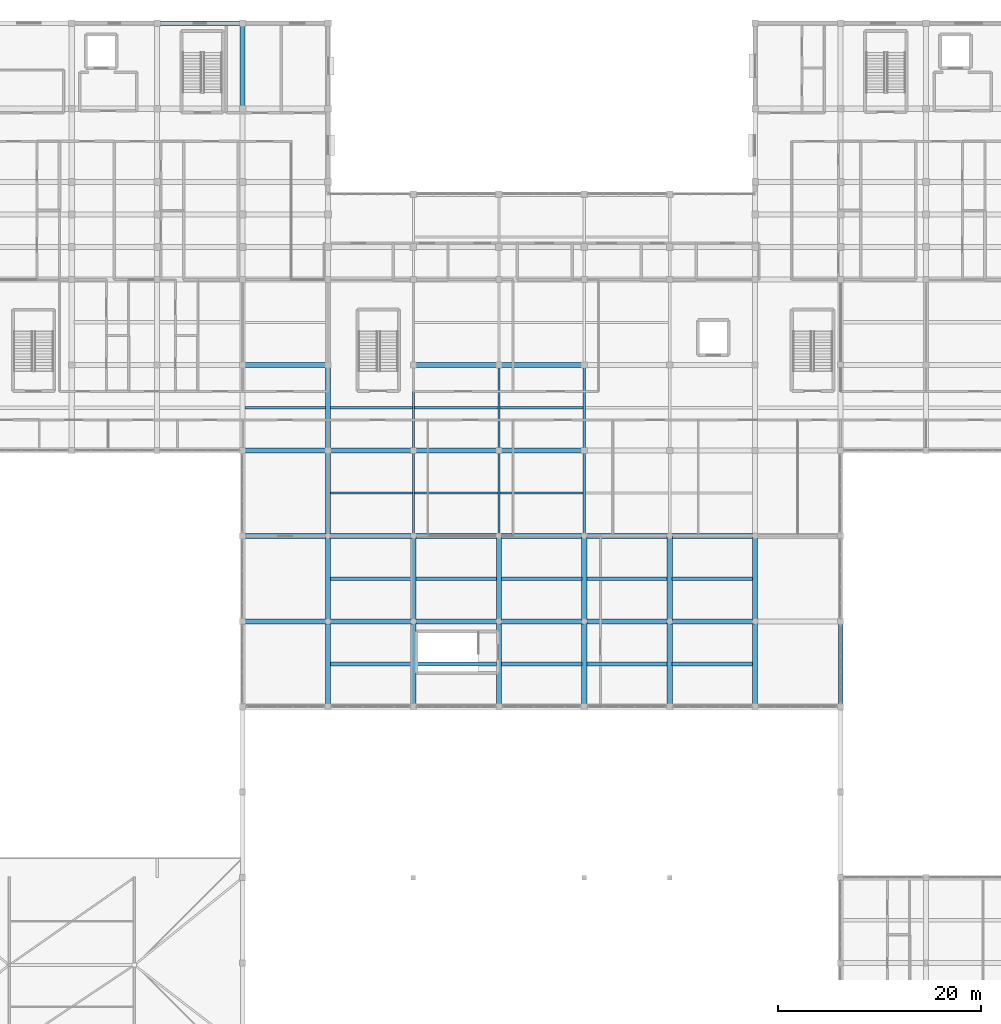
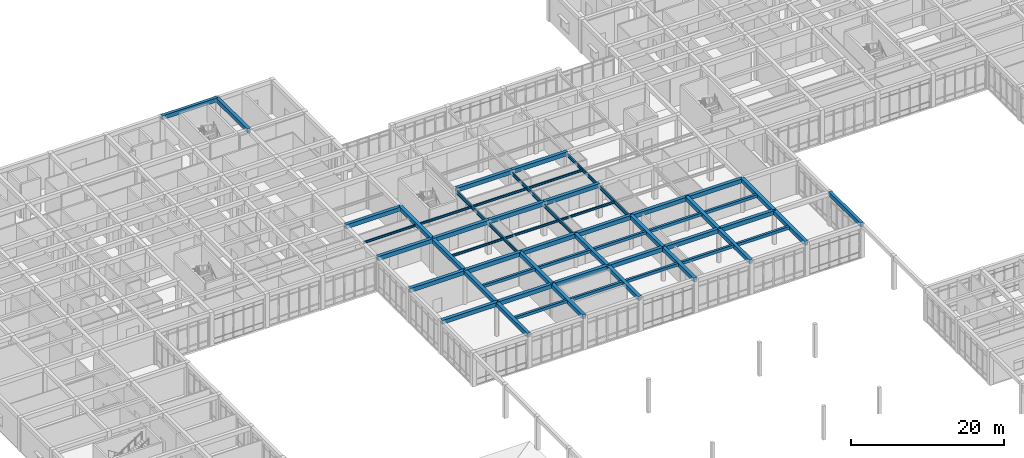
# One storey, part 23 of 89: 59 beams.
"""IFC4 building model written with IfcOpenShell, lengths in metres."""

from ifc_helpers import new_model, si_unit, direction, frame, origin, origin_2d, place, context, subcontext, project, spatial, rectangle, i_section, extrude, material, material_profile, profile_set, type_object, element, save


model = new_model("IFC4")

# Units and contexts
model_context = context("Model", 3, precision=1e-05, world=origin(), true_north=direction((0.0, 1.0)))
body_context = subcontext(model_context, "Body", "Model", "MODEL_VIEW")
ifc_project = project(units=[si_unit("LENGTHUNIT", "METRE"), si_unit("AREAUNIT", "SQUARE_METRE"), si_unit("VOLUMEUNIT", "CUBIC_METRE"), si_unit("PLANEANGLEUNIT", "RADIAN"), si_unit("MASSUNIT", "GRAM", prefix="KILO")], contexts=[model_context])

# Site, building, storey
site_placement = place(None, origin())
site = spatial("IfcSite", under=ifc_project, at=site_placement, CompositionType="ELEMENT")
building_placement = place(site_placement, origin())
building = spatial("IfcBuilding", under=site, at=building_placement, Name="Varncliffe General Hospital", CompositionType="ELEMENT")
storey_placement = place(building_placement, frame((0.0, 0.0, 10.800048828125)))
storey = spatial("IfcBuildingStorey", under=building, at=storey_placement, Name="L02", CompositionType="ELEMENT", Elevation=10.800048828125)

# Beams
ifc_material_1 = material(Name="Concrete C35/45 (CSA A23.1 35 MPa)", Category="concrete")
ifc_material_profile_1 = material_profile(ifc_material_1, rectangle(XDim=0.5, YDim=0.64990234375, at=origin_2d()), Name="RC 500x650")
ifc_profile_set_1 = profile_set([ifc_material_profile_1], Name="Concrete C35/45 (CSA A23.1 35 MPa)")
beam_type_1 = type_object("IfcBeamType", Name="Beam B29 (Int RC 500x650)", PredefinedType="BEAM", material=ifc_profile_set_1)
beam_1_placement = place(storey_placement, frame((58.800048828125, 66.0, 5.074951171875), z_axis=(1.0, 0.0, 0.0), x_axis=(0.0, 1.0, 0.0)))
element("IfcBeam", 1, at=beam_1_placement, inside=storey, type_object=beam_type_1, Name="L02 Primary Beam B29-70", PredefinedType="BEAM", context=body_context, shape_type="SweptSolid", body=[
    extrude(rectangle(XDim=0.5, YDim=0.64990234375, at=origin_2d()), origin(), (0.0, 0.0, 1.0), 8.39990234375),
])
beam_2_placement = place(storey_placement, frame((67.199951171875, 66.0, 5.074951171875), z_axis=(1.0, 0.0, 0.0), x_axis=(0.0, 1.0, 0.0)))
element("IfcBeam", 2, at=beam_2_placement, inside=storey, type_object=beam_type_1, Name="L02 Primary Beam B29-71", PredefinedType="BEAM", context=body_context, shape_type="SweptSolid", body=[
    extrude(rectangle(XDim=0.5, YDim=0.64990234375, at=origin_2d()), origin(), (0.0, 0.0, 1.0), 8.400146484375),
])
for number, where, z_axis, x_axis, name in (
    (3, (75.60009765625, 66.0, 5.074951171875), (1.0, 0.0, 0.0), (0.0, 1.0, 0.0), "L02 Primary Beam B29-72"),
    (4, (84.0, 66.0, 5.074951171875), (1.0, 0.0, 0.0), (0.0, 1.0, 0.0), "L02 Primary Beam B29-73"),
):
    element("IfcBeam", number, at=place(storey_placement, frame(where, z_axis=z_axis, x_axis=x_axis)), inside=storey, type_object=beam_type_1, Name=name, PredefinedType="BEAM", context=body_context, shape_type="SweptSolid", body=[
        extrude(rectangle(XDim=0.5, YDim=0.64990234375, at=origin_2d()), origin(), (0.0, 0.0, 1.0), 8.39990234375),
    ])
beam_3_placement = place(storey_placement, frame((92.39990234375, 66.0, 5.074951171875), z_axis=(1.0, 0.0, 0.0), x_axis=(0.0, 1.0, 0.0)))
element("IfcBeam", 5, at=beam_3_placement, inside=storey, type_object=beam_type_1, Name="L02 Primary Beam B29-74", PredefinedType="BEAM", context=body_context, shape_type="SweptSolid", body=[
    extrude(rectangle(XDim=0.5, YDim=0.64990234375, at=origin_2d()), origin(), (0.0, 0.0, 1.0), 8.400146484375),
])
for number, where, z_axis, x_axis, name in (
    (6, (100.800048828125, 66.0, 5.074951171875), (1.0, 0.0, 0.0), (0.0, 1.0, 0.0), "L02 Primary Beam B29-75"),
    (7, (58.800048828125, 74.39990234375, 5.074951171875), (1.0, 0.0, 0.0), (0.0, 1.0, 0.0), "L02 Primary Beam B29-83"),
):
    element("IfcBeam", number, at=place(storey_placement, frame(where, z_axis=z_axis, x_axis=x_axis)), inside=storey, type_object=beam_type_1, Name=name, PredefinedType="BEAM", context=body_context, shape_type="SweptSolid", body=[
        extrude(rectangle(XDim=0.5, YDim=0.64990234375, at=origin_2d()), origin(), (0.0, 0.0, 1.0), 8.39990234375),
    ])
beam_4_placement = place(storey_placement, frame((67.199951171875, 74.39990234375, 5.074951171875), z_axis=(1.0, 0.0, 0.0), x_axis=(0.0, 1.0, 0.0)))
element("IfcBeam", 8, at=beam_4_placement, inside=storey, type_object=beam_type_1, Name="L02 Primary Beam B29-84", PredefinedType="BEAM", context=body_context, shape_type="SweptSolid", body=[
    extrude(rectangle(XDim=0.5, YDim=0.64990234375, at=origin_2d()), origin(), (0.0, 0.0, 1.0), 8.400146484375),
])
for number, where, z_axis, x_axis, name in (
    (9, (75.60009765625, 74.39990234375, 5.074951171875), (1.0, 0.0, 0.0), (0.0, 1.0, 0.0), "L02 Primary Beam B29-85"),
    (10, (84.0, 74.39990234375, 5.074951171875), (1.0, 0.0, 0.0), (0.0, 1.0, 0.0), "L02 Primary Beam B29-86"),
):
    element("IfcBeam", number, at=place(storey_placement, frame(where, z_axis=z_axis, x_axis=x_axis)), inside=storey, type_object=beam_type_1, Name=name, PredefinedType="BEAM", context=body_context, shape_type="SweptSolid", body=[
        extrude(rectangle(XDim=0.5, YDim=0.64990234375, at=origin_2d()), origin(), (0.0, 0.0, 1.0), 8.39990234375),
    ])
beam_5_placement = place(storey_placement, frame((92.39990234375, 74.39990234375, 5.074951171875), z_axis=(1.0, 0.0, 0.0), x_axis=(0.0, 1.0, 0.0)))
element("IfcBeam", 11, at=beam_5_placement, inside=storey, type_object=beam_type_1, Name="L02 Primary Beam B29-87", PredefinedType="BEAM", context=body_context, shape_type="SweptSolid", body=[
    extrude(rectangle(XDim=0.5, YDim=0.64990234375, at=origin_2d()), origin(), (0.0, 0.0, 1.0), 8.400146484375),
])
for number, where, z_axis, x_axis, name in (
    (12, (100.800048828125, 74.39990234375, 5.074951171875), (1.0, 0.0, 0.0), (0.0, 1.0, 0.0), "L02 Primary Beam B29-88"),
    (13, (58.800048828125, 82.800048828125, 5.074951171875), (1.0, 0.0, 0.0), (0.0, 1.0, 0.0), "L02 Primary Beam B29-100"),
):
    element("IfcBeam", number, at=place(storey_placement, frame(where, z_axis=z_axis, x_axis=x_axis)), inside=storey, type_object=beam_type_1, Name=name, PredefinedType="BEAM", context=body_context, shape_type="SweptSolid", body=[
        extrude(rectangle(XDim=0.5, YDim=0.64990234375, at=origin_2d()), origin(), (0.0, 0.0, 1.0), 8.39990234375),
    ])
beam_6_placement = place(storey_placement, frame((67.199951171875, 82.800048828125, 5.074951171875), z_axis=(1.0, 0.0, 0.0), x_axis=(0.0, 1.0, 0.0)))
element("IfcBeam", 14, at=beam_6_placement, inside=storey, type_object=beam_type_1, Name="L02 Primary Beam B29-101", PredefinedType="BEAM", context=body_context, shape_type="SweptSolid", body=[
    extrude(rectangle(XDim=0.5, YDim=0.64990234375, at=origin_2d()), origin(), (0.0, 0.0, 1.0), 8.400146484375),
])
for number, where, z_axis, x_axis, name in (
    (15, (75.60009765625, 82.800048828125, 5.074951171875), (1.0, 0.0, 0.0), (0.0, 1.0, 0.0), "L02 Primary Beam B29-102"),
    (16, (84.0, 82.800048828125, 5.074951171875), (1.0, 0.0, 0.0), (0.0, 1.0, 0.0), "L02 Primary Beam B29-103"),
    (17, (58.800048828125, 91.199951171875, 5.074951171875), (1.0, 0.0, 0.0), (0.0, 1.0, 0.0), "L02 Primary Beam B29-120"),
    (18, (75.60009765625, 91.199951171875, 5.074951171875), (1.0, 0.0, 0.0), (0.0, 1.0, 0.0), "L02 Primary Beam B29-121"),
    (19, (84.0, 91.199951171875, 5.074951171875), (1.0, 0.0, 0.0), (0.0, 1.0, 0.0), "L02 Primary Beam B29-122"),
):
    element("IfcBeam", number, at=place(storey_placement, frame(where, z_axis=z_axis, x_axis=x_axis)), inside=storey, type_object=beam_type_1, Name=name, PredefinedType="BEAM", context=body_context, shape_type="SweptSolid", body=[
        extrude(rectangle(XDim=0.5, YDim=0.64990234375, at=origin_2d()), origin(), (0.0, 0.0, 1.0), 8.39990234375),
    ])
beam_7_placement = place(storey_placement, frame((58.800048828125, 116.39990234375, 5.074951171875), z_axis=(0.0, 1.0, 0.0), x_axis=(-1.0, 0.0, 0.0)))
element("IfcBeam", 20, at=beam_7_placement, inside=storey, type_object=beam_type_1, Name="L02 Primary Beam B29-325", PredefinedType="BEAM", context=body_context, shape_type="SweptSolid", body=[
    extrude(rectangle(XDim=0.5, YDim=0.64990234375, at=origin_2d()), origin(), (0.0, 0.0, 1.0), 8.400146484375),
])
for number, where, z_axis, x_axis, name in (
    (21, (67.199951171875, 57.60009765625, 5.074951171875), (0.0, 1.0, 0.0), (-1.0, 0.0, 0.0), "L02 Primary Beam B29-328"),
    (22, (67.199951171875, 66.0, 5.074951171875), (0.0, 1.0, 0.0), (-1.0, 0.0, 0.0), "L02 Primary Beam B29-329"),
):
    element("IfcBeam", number, at=place(storey_placement, frame(where, z_axis=z_axis, x_axis=x_axis)), inside=storey, type_object=beam_type_1, Name=name, PredefinedType="BEAM", context=body_context, shape_type="SweptSolid", body=[
        extrude(rectangle(XDim=0.5, YDim=0.64990234375, at=origin_2d()), origin(), (0.0, 0.0, 1.0), 8.39990234375),
    ])
beam_8_placement = place(storey_placement, frame((67.199951171875, 74.39990234375, 5.074951171875), z_axis=(0.0, 1.0, 0.0), x_axis=(-1.0, 0.0, 0.0)))
element("IfcBeam", 23, at=beam_8_placement, inside=storey, type_object=beam_type_1, Name="L02 Primary Beam B29-330", PredefinedType="BEAM", context=body_context, shape_type="SweptSolid", body=[
    extrude(rectangle(XDim=0.5, YDim=0.64990234375, at=origin_2d()), origin(), (0.0, 0.0, 1.0), 8.400146484375),
])
for number, where, z_axis, x_axis, name in (
    (24, (67.199951171875, 82.800048828125, 5.074951171875), (0.0, 1.0, 0.0), (-1.0, 0.0, 0.0), "L02 Primary Beam B29-331"),
    (25, (75.60009765625, 57.60009765625, 5.074951171875), (0.0, 1.0, 0.0), (-1.0, 0.0, 0.0), "L02 Primary Beam B29-340"),
    (26, (75.60009765625, 66.0, 5.074951171875), (0.0, 1.0, 0.0), (-1.0, 0.0, 0.0), "L02 Primary Beam B29-341"),
    (27, (84.0, 57.60009765625, 5.074951171875), (0.0, 1.0, 0.0), (-1.0, 0.0, 0.0), "L02 Primary Beam B29-348"),
    (28, (84.0, 66.0, 5.074951171875), (0.0, 1.0, 0.0), (-1.0, 0.0, 0.0), "L02 Primary Beam B29-349"),
    (29, (92.39990234375, 57.60009765625, 5.074951171875), (0.0, 1.0, 0.0), (-1.0, 0.0, 0.0), "L02 Primary Beam B29-356"),
    (30, (92.39990234375, 66.0, 5.074951171875), (0.0, 1.0, 0.0), (-1.0, 0.0, 0.0), "L02 Primary Beam B29-357"),
    (31, (100.800048828125, 57.60009765625, 5.074951171875), (0.0, 1.0, 0.0), (-1.0, 0.0, 0.0), "L02 Primary Beam B29-365"),
    (32, (100.800048828125, 66.0, 5.074951171875), (0.0, 1.0, 0.0), (-1.0, 0.0, 0.0), "L02 Primary Beam B29-366"),
    (33, (109.199951171875, 57.60009765625, 5.074951171875), (0.0, 1.0, 0.0), (-1.0, 0.0, 0.0), "L02 Primary Beam B29-374"),
    (34, (109.199951171875, 66.0, 5.074951171875), (0.0, 1.0, 0.0), (-1.0, 0.0, 0.0), "L02 Primary Beam B29-375"),
):
    element("IfcBeam", number, at=place(storey_placement, frame(where, z_axis=z_axis, x_axis=x_axis)), inside=storey, type_object=beam_type_1, Name=name, PredefinedType="BEAM", context=body_context, shape_type="SweptSolid", body=[
        extrude(rectangle(XDim=0.5, YDim=0.64990234375, at=origin_2d()), origin(), (0.0, 0.0, 1.0), 8.39990234375),
    ])
ifc_material_2 = material(Name="Steel S355 (CSA G40.21 350W)", Category="steel")
ifc_material_profile_2 = material_profile(ifc_material_2, i_section(OverallWidth=0.2109375, OverallDepth=0.5390625, WebThickness=0.01171875, FlangeThickness=0.018798828125, FilletRadius=0.013916015625, at=origin_2d()), Name="W530x109")
ifc_profile_set_2 = profile_set([ifc_material_profile_2], Name="Steel S355 (CSA G40.21 350W)")
beam_type_2 = type_object("IfcBeamType", Name="Beam B56 (Int W530x109)", PredefinedType="BEAM", material=ifc_profile_set_2)
beam_9_placement = place(storey_placement, frame((75.60009765625, 74.39990234375, 4.7705078125), z_axis=(0.0, 1.0, 0.0), x_axis=(-1.0, 0.0, 0.0)))
element("IfcBeam", 35, at=beam_9_placement, inside=storey, type_object=beam_type_2, Name="L02 Primary Beam B56-342", PredefinedType="BEAM", context=body_context, shape_type="SweptSolid", body=[
    extrude(i_section(OverallWidth=0.2109375, OverallDepth=0.5390625, WebThickness=0.01171875, FlangeThickness=0.018798828125, FilletRadius=0.013916015625, at=origin_2d()), origin(), (0.0, 0.0, 1.0), 8.400146484375),
])
beam_10_placement = place(storey_placement, frame((75.60009765625, 82.800048828125, 4.7705078125), z_axis=(0.0, 1.0, 0.0), x_axis=(-1.0, 0.0, 0.0)))
element("IfcBeam", 36, at=beam_10_placement, inside=storey, type_object=beam_type_2, Name="L02 Primary Beam B56-343", PredefinedType="BEAM", context=body_context, shape_type="SweptSolid", body=[
    extrude(i_section(OverallWidth=0.2109375, OverallDepth=0.5390625, WebThickness=0.01171875, FlangeThickness=0.018798828125, FilletRadius=0.013916015625, at=origin_2d()), origin(), (0.0, 0.0, 1.0), 8.39990234375),
])
beam_11_placement = place(storey_placement, frame((84.0, 74.39990234375, 4.7705078125), z_axis=(0.0, 1.0, 0.0), x_axis=(-1.0, 0.0, 0.0)))
element("IfcBeam", 37, at=beam_11_placement, inside=storey, type_object=beam_type_2, Name="L02 Primary Beam B56-350", PredefinedType="BEAM", context=body_context, shape_type="SweptSolid", body=[
    extrude(i_section(OverallWidth=0.2109375, OverallDepth=0.5390625, WebThickness=0.01171875, FlangeThickness=0.018798828125, FilletRadius=0.013916015625, at=origin_2d()), origin(), (0.0, 0.0, 1.0), 8.400146484375),
])
beam_12_placement = place(storey_placement, frame((84.0, 82.800048828125, 4.7705078125), z_axis=(0.0, 1.0, 0.0), x_axis=(-1.0, 0.0, 0.0)))
element("IfcBeam", 38, at=beam_12_placement, inside=storey, type_object=beam_type_2, Name="L02 Primary Beam B56-351", PredefinedType="BEAM", context=body_context, shape_type="SweptSolid", body=[
    extrude(i_section(OverallWidth=0.2109375, OverallDepth=0.5390625, WebThickness=0.01171875, FlangeThickness=0.018798828125, FilletRadius=0.013916015625, at=origin_2d()), origin(), (0.0, 0.0, 1.0), 8.39990234375),
])
beam_13_placement = place(storey_placement, frame((92.39990234375, 74.39990234375, 4.7705078125), z_axis=(0.0, 1.0, 0.0), x_axis=(-1.0, 0.0, 0.0)))
element("IfcBeam", 39, at=beam_13_placement, inside=storey, type_object=beam_type_2, Name="L02 Primary Beam B56-358", PredefinedType="BEAM", context=body_context, shape_type="SweptSolid", body=[
    extrude(i_section(OverallWidth=0.2109375, OverallDepth=0.5390625, WebThickness=0.01171875, FlangeThickness=0.018798828125, FilletRadius=0.013916015625, at=origin_2d()), origin(), (0.0, 0.0, 1.0), 8.400146484375),
])
beam_14_placement = place(storey_placement, frame((92.39990234375, 82.800048828125, 4.7705078125), z_axis=(0.0, 1.0, 0.0), x_axis=(-1.0, 0.0, 0.0)))
element("IfcBeam", 40, at=beam_14_placement, inside=storey, type_object=beam_type_2, Name="L02 Primary Beam B56-359", PredefinedType="BEAM", context=body_context, shape_type="SweptSolid", body=[
    extrude(i_section(OverallWidth=0.2109375, OverallDepth=0.5390625, WebThickness=0.01171875, FlangeThickness=0.018798828125, FilletRadius=0.013916015625, at=origin_2d()), origin(), (0.0, 0.0, 1.0), 8.39990234375),
])
ifc_material_profile_3 = material_profile(ifc_material_2, i_section(OverallWidth=0.202880859375, OverallDepth=0.346923828125, WebThickness=0.0078125, FlangeThickness=0.013427734375, FilletRadius=0.010986328125, at=origin_2d()), Name="W360x64")
ifc_profile_set_3 = profile_set([ifc_material_profile_3], Name="Steel S355 (CSA G40.21 350W)")
beam_type_3 = type_object("IfcBeamType", Name="Joist J14 (Int W360x64)", PredefinedType="JOIST", material=ifc_profile_set_3)
beam_15_placement = place(storey_placement, frame((59.048095703125, 87.0, 4.866455078125), z_axis=(1.0, 0.0, 0.0), x_axis=(0.0, 1.0, 0.0)))
element("IfcBeam", 41, at=beam_15_placement, inside=storey, type_object=beam_type_3, Name="L02 Secondary Floor Rib J14-16", PredefinedType="JOIST", context=body_context, shape_type="SweptSolid", body=[
    extrude(i_section(OverallWidth=0.202880859375, OverallDepth=0.346923828125, WebThickness=0.0078125, FlangeThickness=0.013427734375, FilletRadius=0.010986328125, at=origin_2d()), origin(), (0.0, 0.0, 1.0), 7.90380859375),
])
for number, where, z_axis, x_axis, name in (
    (42, (67.447998046875, 78.60009765625, 4.866455078125), (1.0, 0.0, 0.0), (0.0, 1.0, 0.0), "L02 Secondary Floor Rib J14-20"),
    (43, (67.447998046875, 87.0, 4.866455078125), (1.0, 0.0, 0.0), (0.0, 1.0, 0.0), "L02 Secondary Floor Rib J14-21"),
):
    element("IfcBeam", number, at=place(storey_placement, frame(where, z_axis=z_axis, x_axis=x_axis)), inside=storey, type_object=beam_type_3, Name=name, PredefinedType="JOIST", context=body_context, shape_type="SweptSolid", body=[
        extrude(i_section(OverallWidth=0.202880859375, OverallDepth=0.346923828125, WebThickness=0.0078125, FlangeThickness=0.013427734375, FilletRadius=0.010986328125, at=origin_2d()), origin(), (0.0, 0.0, 1.0), 8.048583984375),
    ])
for number, where, z_axis, x_axis, name in (
    (44, (75.70361328125, 78.60009765625, 4.866455078125), (1.0, 0.0, 0.0), (0.0, 1.0, 0.0), "L02 Secondary Floor Rib J14-24"),
    (45, (75.70361328125, 87.0, 4.866455078125), (1.0, 0.0, 0.0), (0.0, 1.0, 0.0), "L02 Secondary Floor Rib J14-25"),
    (46, (84.103515625, 78.60009765625, 4.866455078125), (1.0, 0.0, 0.0), (0.0, 1.0, 0.0), "L02 Secondary Floor Rib J14-30"),
    (47, (84.103515625, 87.0, 4.866455078125), (1.0, 0.0, 0.0), (0.0, 1.0, 0.0), "L02 Secondary Floor Rib J14-31"),
):
    element("IfcBeam", number, at=place(storey_placement, frame(where, z_axis=z_axis, x_axis=x_axis)), inside=storey, type_object=beam_type_3, Name=name, PredefinedType="JOIST", context=body_context, shape_type="SweptSolid", body=[
        extrude(i_section(OverallWidth=0.202880859375, OverallDepth=0.346923828125, WebThickness=0.0078125, FlangeThickness=0.013427734375, FilletRadius=0.010986328125, at=origin_2d()), origin(), (0.0, 0.0, 1.0), 8.19287109375),
    ])
ifc_material_profile_4 = material_profile(ifc_material_1, rectangle(XDim=0.35009765625, YDim=0.449951171875, at=origin_2d()), Name="RC 350x450")
ifc_profile_set_4 = profile_set([ifc_material_profile_4], Name="Concrete C35/45 (CSA A23.1 35 MPa)")
beam_type_4 = type_object("IfcBeamType", Name="Joist J55 (Int RC 350x450)", PredefinedType="JOIST", material=ifc_profile_set_4)
for number, where, z_axis, x_axis, name in (
    (48, (67.447998046875, 61.800048828125, 5.175048828125), (1.0, 0.0, 0.0), (0.0, 1.0, 0.0), "L02 Secondary Floor Rib J55-18"),
    (49, (67.447998046875, 70.199951171875, 5.175048828125), (1.0, 0.0, 0.0), (0.0, 1.0, 0.0), "L02 Secondary Floor Rib J55-19"),
    (50, (75.847900390625, 61.800048828125, 5.175048828125), (1.0, 0.0, 0.0), (0.0, 1.0, 0.0), "L02 Secondary Floor Rib J55-22"),
    (51, (75.847900390625, 70.199951171875, 5.175048828125), (1.0, 0.0, 0.0), (0.0, 1.0, 0.0), "L02 Secondary Floor Rib J55-23"),
    (52, (84.248046875, 61.800048828125, 5.175048828125), (1.0, 0.0, 0.0), (0.0, 1.0, 0.0), "L02 Secondary Floor Rib J55-28"),
    (53, (84.248046875, 70.199951171875, 5.175048828125), (1.0, 0.0, 0.0), (0.0, 1.0, 0.0), "L02 Secondary Floor Rib J55-29"),
    (54, (92.64794921875, 61.800048828125, 5.175048828125), (1.0, 0.0, 0.0), (0.0, 1.0, 0.0), "L02 Secondary Floor Rib J55-34"),
    (55, (92.64794921875, 70.199951171875, 5.175048828125), (1.0, 0.0, 0.0), (0.0, 1.0, 0.0), "L02 Secondary Floor Rib J55-35"),
):
    element("IfcBeam", number, at=place(storey_placement, frame(where, z_axis=z_axis, x_axis=x_axis)), inside=storey, type_object=beam_type_4, Name=name, PredefinedType="JOIST", context=body_context, shape_type="SweptSolid", body=[
        extrude(rectangle(XDim=0.35009765625, YDim=0.449951171875, at=origin_2d()), origin(), (0.0, 0.0, 1.0), 7.904052734375),
    ])
for number, where, z_axis, x_axis, name in (
    (56, (101.048095703125, 61.800048828125, 5.175048828125), (1.0, 0.0, 0.0), (0.0, 1.0, 0.0), "L02 Secondary Floor Rib J55-40"),
    (57, (101.048095703125, 70.199951171875, 5.175048828125), (1.0, 0.0, 0.0), (0.0, 1.0, 0.0), "L02 Secondary Floor Rib J55-41"),
):
    element("IfcBeam", number, at=place(storey_placement, frame(where, z_axis=z_axis, x_axis=x_axis)), inside=storey, type_object=beam_type_4, Name=name, PredefinedType="JOIST", context=body_context, shape_type="SweptSolid", body=[
        extrude(rectangle(XDim=0.35009765625, YDim=0.449951171875, at=origin_2d()), origin(), (0.0, 0.0, 1.0), 7.90380859375),
    ])
ifc_material_profile_5 = material_profile(ifc_material_1, rectangle(XDim=0.449951171875, YDim=0.64990234375, at=origin_2d()), Name="RC 450x650")
ifc_profile_set_5 = profile_set([ifc_material_profile_5], Name="Concrete C35/45 (CSA A23.1 35 MPa)")
beam_type_5 = type_object("IfcBeamType", Name="Spandrel SP38 (Ext RC 450x650B)", PredefinedType="SPANDREL", material=ifc_profile_set_5)
beam_16_placement = place(storey_placement, frame((50.39990234375, 124.800048828125, 5.074951171875), z_axis=(1.0, 0.0, 0.0), x_axis=(0.0, 1.0, 0.0)))
element("IfcBeam", 58, at=beam_16_placement, inside=storey, type_object=beam_type_5, Name="L02 Spandrel Beam SP38-230", PredefinedType="SPANDREL", context=body_context, shape_type="SweptSolid", body=[
    extrude(rectangle(XDim=0.449951171875, YDim=0.64990234375, at=origin_2d()), origin(), (0.0, 0.0, 1.0), 8.400146484375),
])
beam_17_placement = place(storey_placement, frame((117.60009765625, 57.60009765625, 5.074951171875), z_axis=(0.0, 1.0, 0.0), x_axis=(-1.0, 0.0, 0.0)))
element("IfcBeam", 59, at=beam_17_placement, inside=storey, type_object=beam_type_5, Name="L02 Spandrel Beam SP38-392", PredefinedType="SPANDREL", context=body_context, shape_type="SweptSolid", body=[
    extrude(rectangle(XDim=0.449951171875, YDim=0.64990234375, at=origin_2d()), origin(), (0.0, 0.0, 1.0), 8.39990234375),
])

save(model, "model.ifc")
